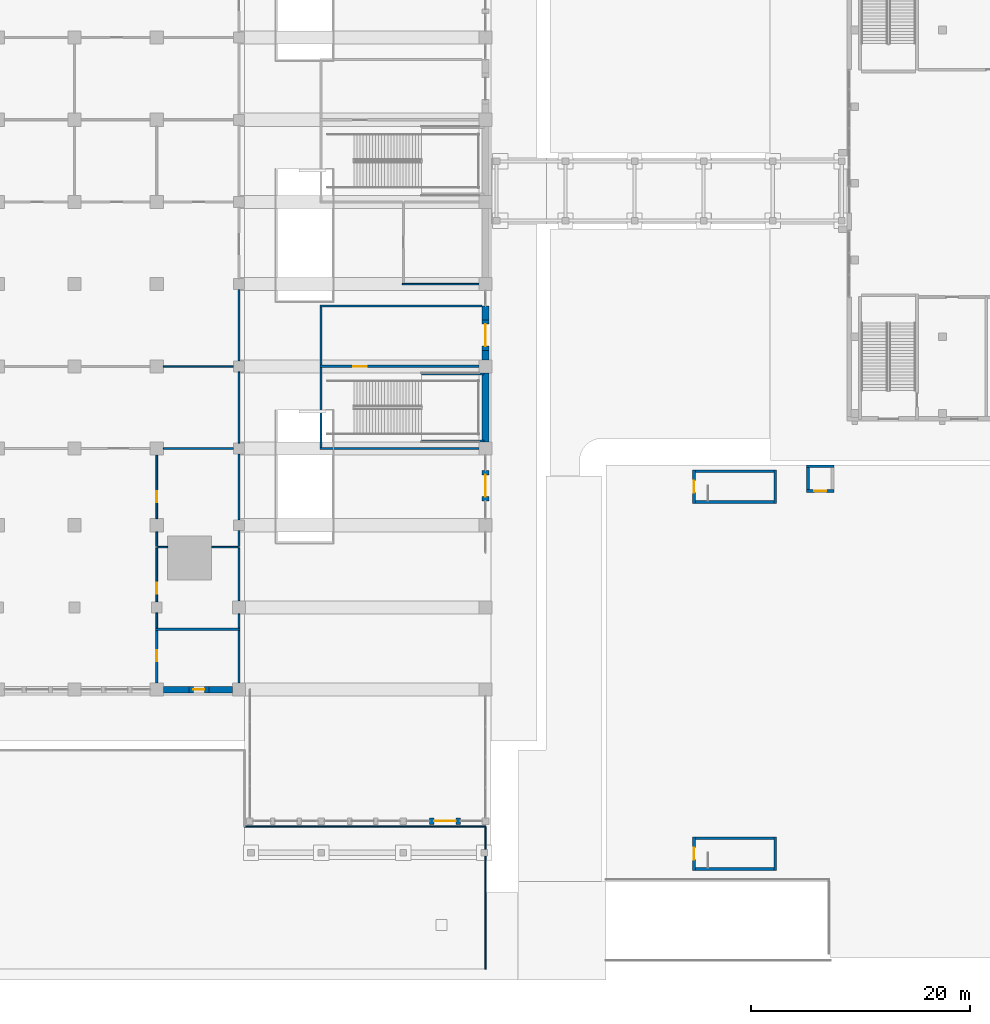
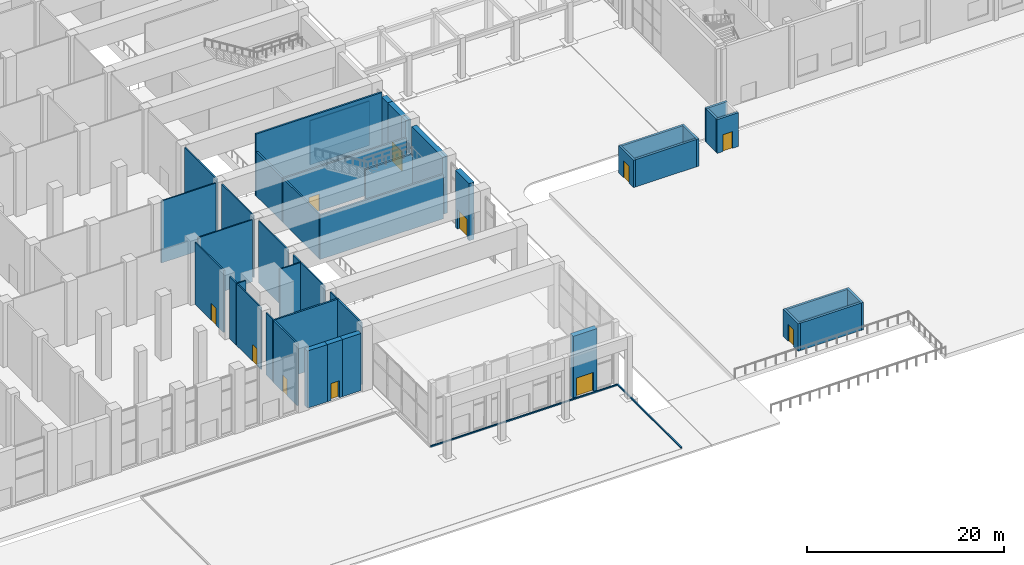
# One storey, part 27 of 57: 47 walls, 11 doors, 11 openings.
"""IFC4 building model written with IfcOpenShell, lengths in metres."""

from ifc_helpers import new_model, si_unit, direction, frame, frame_2d, origin, place, context, subcontext, project, spatial, rectangle, extrude, material, layer, layer_set, type_object, element, fill, save


model = new_model("IFC4")

# Units and contexts
model_context = context("Model", 3, precision=1e-05, world=origin(), true_north=direction((0.0, 1.0)))
body_context = subcontext(model_context, "Body", "Model", "MODEL_VIEW")
ifc_project = project(units=[si_unit("LENGTHUNIT", "METRE"), si_unit("AREAUNIT", "SQUARE_METRE"), si_unit("VOLUMEUNIT", "CUBIC_METRE"), si_unit("PLANEANGLEUNIT", "RADIAN"), si_unit("MASSUNIT", "GRAM", prefix="KILO")], contexts=[model_context])

# Site, building, storey
site_placement = place(None, origin())
site = spatial("IfcSite", under=ifc_project, at=site_placement, CompositionType="ELEMENT")
building_placement = place(site_placement, origin())
building = spatial("IfcBuilding", under=site, at=building_placement, Name="Tamorin Gate", CompositionType="ELEMENT")
storey_placement = place(building_placement, origin())
storey = spatial("IfcBuildingStorey", under=building, at=storey_placement, Name="L00", CompositionType="ELEMENT", Elevation=0.0)

# Walls
ifc_material_1 = material(Name="Reinforced concrete C32/40", Category="concrete")
ifc_layer_1 = layer(ifc_material_1, 0.199951171875)
ifc_layer_set_1 = layer_set([ifc_layer_1], Name="Exit passage wall 200")
wall_type_1 = type_object("IfcWallType", Name="Exit passage wall 200", PredefinedType="PARTITIONING", material=ifc_layer_set_1)
wall_1_placement = place(storey_placement, frame((96.89990234375, 65.5, 0.0), z_axis=(0.0, 0.0, 1.0), x_axis=(1.0, 0.0, 0.0)))
element("IfcWall", 1, at=wall_1_placement, inside=storey, type_object=wall_type_1, Name="Exit passage wall 200 L00", PredefinedType="PARTITIONING", context=body_context, shape_type="SweptSolid", body=[
    extrude(rectangle(XDim=14.800048828125, YDim=0.199951171875, at=frame_2d((7.39990234375, 0.0))), origin(), (0.0, 0.0, 1.0), 7.699951171875),
])
wall_2_placement = place(storey_placement, frame((97.0, 60.10009765625, 0.0), z_axis=(0.0, 0.0, 1.0), x_axis=(0.0, 1.0, 0.0)))
element("IfcWall", 2, at=wall_2_placement, inside=storey, type_object=wall_type_1, Name="Exit passage wall 200 L00", PredefinedType="PARTITIONING", context=body_context, shape_type="SweptSolid", body=[
    extrude(rectangle(XDim=5.2998046875, YDim=0.199951171875, at=frame_2d((2.64990234375, 0.0))), origin(), (0.0, 0.0, 1.0), 5.5),
])
ifc_material_2 = material(Name="Concrete masonry C20/25", Category="masonry")
ifc_layer_2 = layer(ifc_material_2, 0.199951171875)
ifc_layer_set_2 = layer_set([ifc_layer_2], Name="Fire-rated wall 200")
wall_type_2 = type_object("IfcWallType", Name="Fire-rated wall 200", PredefinedType="PARTITIONING", material=ifc_layer_set_2)
wall_3_placement = place(storey_placement, frame((81.89990234375, 36.0, 0.0), z_axis=(0.0, 0.0, 1.0), x_axis=(1.0, 0.0, 0.0)))
element("IfcWall", 3, at=wall_3_placement, inside=storey, type_object=wall_type_2, Name="Fire-rated wall 200 L00", PredefinedType="PARTITIONING", context=body_context, shape_type="SweptSolid", body=[
    extrude(rectangle(XDim=7.7001953125, YDim=0.199951171875, at=frame_2d((3.85009765625, 0.0))), origin(), (0.0, 0.0, 1.0), 7.699951171875),
])
wall_4_placement = place(storey_placement, frame((89.5, 31.10009765625, 0.0), z_axis=(0.0, 0.0, 1.0), x_axis=(0.0, 1.0, 0.0)))
element("IfcWall", 4, at=wall_4_placement, inside=storey, type_object=wall_type_2, Name="Fire-rated wall 200 L00", PredefinedType="PARTITIONING", context=body_context, shape_type="SweptSolid", body=[
    extrude(rectangle(XDim=4.7998046875, YDim=0.199951171875, at=frame_2d((2.39990234375, 0.0))), origin(), (0.0, 0.0, 1.0), 7.699951171875),
])

# Wall, opening, door
wall_5_placement = place(storey_placement, frame((82.0, 31.10009765625, 0.0), z_axis=(0.0, 0.0, 1.0), x_axis=(0.0, 1.0, 0.0)))
wall_5 = element("IfcWall", 5, at=wall_5_placement, inside=storey, type_object=wall_type_2, Name="Fire-rated wall 200 L00", PredefinedType="PARTITIONING", context=body_context, shape_type="SweptSolid", body=[
    extrude(rectangle(XDim=4.7998046875, YDim=0.199951171875, at=frame_2d((2.39990234375, 0.0))), origin(), (0.0, 0.0, 1.0), 7.699951171875),
])
opening_1_placement = place(wall_5_placement, frame((2.0, 0.0, 0.0)))
opening_1 = element("IfcOpeningElement", 6, at=opening_1_placement, cuts=wall_5, Name="Opening DP2", PredefinedType="OPENING", context=body_context, shape_type="SweptSolid", body=[
    extrude(rectangle(XDim=1.0, YDim=2.10009765625, at=frame_2d((0.5, 1.050048828125))), frame((0.0, 0.10986328125, 0.0), z_axis=(0.0, -1.0, 0.0), x_axis=(1.0, 0.0, 0.0)), (0.0, 0.0, 1.0), 0.219970703125),
])
ifc_material_3 = material(Name="Painted steel", Category="steel")
door_type_1 = type_object("IfcDoorType", Name="Door single 1000", OperationType="SINGLE_SWING_LEFT", PredefinedType="DOOR", material=ifc_material_3)
door_1_placement = place(opening_1_placement, origin())
door_1 = element("IfcDoor", 7, at=door_1_placement, inside=storey, type_object=door_type_1, Name="Door single 1000 L00", OperationType="SINGLE_SWING_LEFT", OverallHeight=2.10009765625, OverallWidth=1.0, PredefinedType="DOOR", context=body_context, shape_type="SweptSolid", body=[
    extrude(rectangle(XDim=1.0, YDim=2.10009765625, at=frame_2d((0.5, 1.050048828125))), frame((0.0, 0.02490234375, 0.0), z_axis=(0.0, -1.0, 0.0), x_axis=(1.0, 0.0, 0.0)), (0.0, 0.0, 1.0), 0.050048828125),
])
fill(opening_1, door_1)

# Walls
ifc_layer_3 = layer(ifc_material_2, 0.14990234375)
ifc_layer_set_3 = layer_set([ifc_layer_3], Name="Partition 150")
wall_type_3 = type_object("IfcWallType", Name="Partition 150", PredefinedType="PARTITIONING", material=ifc_layer_set_3)
for number, where, z_axis, x_axis, name in (
    (8, (82.60009765625, 52.5, 0.0), (0.0, 0.0, 1.0), (1.0, 0.0, 0.0), "Partition 150 L00"),
    (9, (82.60009765625, 60.0, 0.0), (0.0, 0.0, 1.0), (1.0, 0.0, 0.0), "Partition 150 L00"),
):
    element("IfcWall", number, at=place(storey_placement, frame(where, z_axis=z_axis, x_axis=x_axis)), inside=storey, type_object=wall_type_3, Name=name, PredefinedType="PARTITIONING", context=body_context, shape_type="SweptSolid", body=[
        extrude(rectangle(XDim=6.39990234375, YDim=0.14990234375, at=frame_2d((3.199951171875, 0.0))), origin(), (0.0, 0.0, 1.0), 7.699951171875),
    ])
wall_6_placement = place(storey_placement, frame((82.074951171875, 43.5, 0.0), z_axis=(0.0, 0.0, 1.0), x_axis=(1.0, 0.0, 0.0)))
element("IfcWall", 10, at=wall_6_placement, inside=storey, type_object=wall_type_3, Name="Partition 150 L00", PredefinedType="PARTITIONING", context=body_context, shape_type="SweptSolid", body=[
    extrude(rectangle(XDim=0.925048828125, YDim=0.14990234375, at=frame_2d((0.46240234375, 0.0))), origin(), (0.0, 0.0, 1.0), 7.699951171875),
])
wall_7_placement = place(storey_placement, frame((87.0, 43.5, 0.0), z_axis=(0.0, 0.0, 1.0), x_axis=(1.0, 0.0, 0.0)))
element("IfcWall", 11, at=wall_7_placement, inside=storey, type_object=wall_type_3, Name="Partition 150 L00", PredefinedType="PARTITIONING", context=body_context, shape_type="SweptSolid", body=[
    extrude(rectangle(XDim=2.425048828125, YDim=0.14990234375, at=frame_2d((1.21240234375, 0.0))), origin(), (0.0, 0.0, 1.0), 7.699951171875),
])
wall_8_placement = place(storey_placement, frame((104.425048828125, 67.5, 0.0), z_axis=(0.0, 0.0, 1.0), x_axis=(1.0, 0.0, 0.0)))
element("IfcWall", 12, at=wall_8_placement, inside=storey, type_object=wall_type_3, Name="Partition 150 L00", PredefinedType="PARTITIONING", context=body_context, shape_type="SweptSolid", body=[
    extrude(rectangle(XDim=6.974853515625, YDim=0.14990234375, at=frame_2d((3.4873046875, 0.0))), origin(), (0.0, 0.0, 1.0), 5.5),
])
wall_9_placement = place(storey_placement, frame((89.5, 36.10009765625, 0.0), z_axis=(0.0, 0.0, 1.0), x_axis=(0.0, 1.0, 0.0)))
element("IfcWall", 13, at=wall_9_placement, inside=storey, type_object=wall_type_3, Name="Partition 150 L00", PredefinedType="PARTITIONING", context=body_context, shape_type="SweptSolid", body=[
    extrude(rectangle(XDim=1.2998046875, YDim=0.14990234375, at=frame_2d((0.64990234375, 0.0))), origin(), (0.0, 0.0, 1.0), 7.699951171875),
])
wall_10_placement = place(storey_placement, frame((89.5, 38.60009765625, 0.0), z_axis=(0.0, 0.0, 1.0), x_axis=(0.0, 1.0, 0.0)))
element("IfcWall", 14, at=wall_10_placement, inside=storey, type_object=wall_type_3, Name="Partition 150 L00", PredefinedType="PARTITIONING", context=body_context, shape_type="SweptSolid", body=[
    extrude(rectangle(XDim=4.824951171875, YDim=0.14990234375, at=frame_2d((2.41259765625, 0.0))), origin(), (0.0, 0.0, 1.0), 7.699951171875),
])
wall_11_placement = place(storey_placement, frame((89.5, 43.574951171875, 0.0), z_axis=(0.0, 0.0, 1.0), x_axis=(0.0, 1.0, 0.0)))
element("IfcWall", 15, at=wall_11_placement, inside=storey, type_object=wall_type_3, Name="Partition 150 L00", PredefinedType="PARTITIONING", context=body_context, shape_type="SweptSolid", body=[
    extrude(rectangle(XDim=1.425048828125, YDim=0.14990234375, at=frame_2d((0.71240234375, 0.0))), origin(), (0.0, 0.0, 1.0), 7.699951171875),
])
wall_12_placement = place(storey_placement, frame((89.5, 46.0, 0.0), z_axis=(0.0, 0.0, 1.0), x_axis=(0.0, 1.0, 0.0)))
element("IfcWall", 16, at=wall_12_placement, inside=storey, type_object=wall_type_3, Name="Partition 150 L00", PredefinedType="PARTITIONING", context=body_context, shape_type="SweptSolid", body=[
    extrude(rectangle(XDim=6.0, YDim=0.14990234375, at=frame_2d((3.0, 0.0))), origin(), (0.0, 0.0, 1.0), 7.699951171875),
])
for number, where, z_axis, x_axis, name in (
    (17, (89.5, 53.0, 0.0), (0.0, 0.0, 1.0), (0.0, 1.0, 0.0), "Partition 150 L00"),
    (18, (89.5, 60.5, 0.0), (0.0, 0.0, 1.0), (0.0, 1.0, 0.0), "Partition 150 L00"),
):
    element("IfcWall", number, at=place(storey_placement, frame(where, z_axis=z_axis, x_axis=x_axis)), inside=storey, type_object=wall_type_3, Name=name, PredefinedType="PARTITIONING", context=body_context, shape_type="SweptSolid", body=[
        extrude(rectangle(XDim=6.5, YDim=0.14990234375, at=frame_2d((3.25, 0.0))), origin(), (0.0, 0.0, 1.0), 7.699951171875),
    ])
wall_13_placement = place(storey_placement, frame((82.0, 36.10009765625, 0.0), z_axis=(0.0, 0.0, 1.0), x_axis=(0.0, 1.0, 0.0)))
element("IfcWall", 19, at=wall_13_placement, inside=storey, type_object=wall_type_3, Name="Partition 150 L00", PredefinedType="PARTITIONING", context=body_context, shape_type="SweptSolid", body=[
    extrude(rectangle(XDim=1.39990234375, YDim=0.14990234375, at=frame_2d((0.699951171875, 0.0))), origin(), (0.0, 0.0, 1.0), 7.699951171875),
])

# Wall, opening, door
wall_14_placement = place(storey_placement, frame((82.0, 38.5, 0.0), z_axis=(0.0, 0.0, 1.0), x_axis=(0.0, 1.0, 0.0)))
wall_14 = element("IfcWall", 20, at=wall_14_placement, inside=storey, type_object=wall_type_3, Name="Partition 150 L00", PredefinedType="PARTITIONING", context=body_context, shape_type="SweptSolid", body=[
    extrude(rectangle(XDim=4.925048828125, YDim=0.14990234375, at=frame_2d((2.46240234375, 0.0))), origin(), (0.0, 0.0, 1.0), 7.699951171875),
])
opening_2_placement = place(wall_14_placement, frame((0.75, 0.0, 0.0)))
opening_2 = element("IfcOpeningElement", 21, at=opening_2_placement, cuts=wall_14, Name="Opening DP2", PredefinedType="OPENING", context=body_context, shape_type="SweptSolid", body=[
    extrude(rectangle(XDim=1.0, YDim=2.10009765625, at=frame_2d((0.5, 1.050048828125))), frame((0.0, 0.0849609375, 0.0), z_axis=(0.0, -1.0, 0.0), x_axis=(1.0, 0.0, 0.0)), (0.0, 0.0, 1.0), 0.169921875),
])
door_2_placement = place(opening_2_placement, origin())
door_2 = element("IfcDoor", 22, at=door_2_placement, inside=storey, type_object=door_type_1, Name="Door single 1000 L00", OperationType="SINGLE_SWING_LEFT", OverallHeight=2.10009765625, OverallWidth=1.0, PredefinedType="DOOR", context=body_context, shape_type="SweptSolid", body=[
    extrude(rectangle(XDim=1.0, YDim=2.10009765625, at=frame_2d((0.5, 1.050048828125))), frame((0.0, 0.02490234375, 0.0), z_axis=(0.0, -1.0, 0.0), x_axis=(1.0, 0.0, 0.0)), (0.0, 0.0, 1.0), 0.050048828125),
])
fill(opening_2, door_2)

# Wall
wall_15_placement = place(storey_placement, frame((82.0, 43.574951171875, 0.0), z_axis=(0.0, 0.0, 1.0), x_axis=(0.0, 1.0, 0.0)))
element("IfcWall", 23, at=wall_15_placement, inside=storey, type_object=wall_type_3, Name="Partition 150 L00", PredefinedType="PARTITIONING", context=body_context, shape_type="SweptSolid", body=[
    extrude(rectangle(XDim=1.324951171875, YDim=0.14990234375, at=frame_2d((0.66259765625, 0.0))), origin(), (0.0, 0.0, 1.0), 7.699951171875),
])

# Wall, opening, door
wall_16_placement = place(storey_placement, frame((82.0, 46.10009765625, 0.0), z_axis=(0.0, 0.0, 1.0), x_axis=(0.0, 1.0, 0.0)))
wall_16 = element("IfcWall", 24, at=wall_16_placement, inside=storey, type_object=wall_type_3, Name="Partition 150 L00", PredefinedType="PARTITIONING", context=body_context, shape_type="SweptSolid", body=[
    extrude(rectangle(XDim=5.7998046875, YDim=0.14990234375, at=frame_2d((2.89990234375, 0.0))), origin(), (0.0, 0.0, 1.0), 7.699951171875),
])
opening_3_placement = place(wall_16_placement, frame((1.5, 0.0, 0.0)))
opening_3 = element("IfcOpeningElement", 25, at=opening_3_placement, cuts=wall_16, Name="Opening DP2", PredefinedType="OPENING", context=body_context, shape_type="SweptSolid", body=[
    extrude(rectangle(XDim=1.0, YDim=2.10009765625, at=frame_2d((0.5, 1.050048828125))), frame((0.0, 0.0849609375, 0.0), z_axis=(0.0, -1.0, 0.0), x_axis=(1.0, 0.0, 0.0)), (0.0, 0.0, 1.0), 0.169921875),
])
door_3_placement = place(opening_3_placement, origin())
door_3 = element("IfcDoor", 26, at=door_3_placement, inside=storey, type_object=door_type_1, Name="Door single 1000 L00", OperationType="SINGLE_SWING_LEFT", OverallHeight=2.10009765625, OverallWidth=1.0, PredefinedType="DOOR", context=body_context, shape_type="SweptSolid", body=[
    extrude(rectangle(XDim=1.0, YDim=2.10009765625, at=frame_2d((0.5, 1.050048828125))), frame((0.0, 0.02490234375, 0.0), z_axis=(0.0, -1.0, 0.0), x_axis=(1.0, 0.0, 0.0)), (0.0, 0.0, 1.0), 0.050048828125),
])
fill(opening_3, door_3)

# Walls
ifc_material_4 = material(Name="Concrete C30/37", Category="concrete")
ifc_layer_4 = layer(ifc_material_4, 0.14990234375)
ifc_layer_set_4 = layer_set([ifc_layer_4], Name="Precast kerb 150 C30/37")
wall_type_4 = type_object("IfcWallType", Name="Precast kerb 150 C30/37", PredefinedType="STANDARD", material=ifc_layer_set_4)
wall_17_placement = place(storey_placement, frame((90.0, 18.0, 0.0), z_axis=(0.0, 0.0, 1.0), x_axis=(1.0, 0.0, 0.0)))
element("IfcWall", 27, at=wall_17_placement, inside=storey, type_object=wall_type_4, Name="Kerb", PredefinedType="STANDARD", context=body_context, shape_type="SweptSolid", body=[
    extrude(rectangle(XDim=22.0, YDim=0.14990234375, at=frame_2d((11.0, 0.0))), origin(), (0.0, 0.0, 1.0), 0.14990234375),
])
wall_18_placement = place(storey_placement, frame((112.0, 18.0, 0.0), z_axis=(0.0, 0.0, 1.0), x_axis=(0.0, -1.0, 0.0)))
element("IfcWall", 28, at=wall_18_placement, inside=storey, type_object=wall_type_4, Name="Kerb", PredefinedType="STANDARD", context=body_context, shape_type="SweptSolid", body=[
    extrude(rectangle(XDim=13.0, YDim=0.14990234375, at=frame_2d((6.5, 0.0))), origin(), (0.0, 0.0, 1.0), 0.14990234375),
])

# Wall, opening, door
ifc_material_5 = material(Name="Precast concrete C40/50", Category="concrete")
ifc_layer_5 = layer(ifc_material_5, 0.60009765625)
ifc_layer_set_5 = layer_set([ifc_layer_5], Name="Precast concrete C40/50")
wall_type_5 = type_object("IfcWallType", Name="Precast plinth wall 600", PredefinedType="PARTITIONING", material=ifc_layer_set_5)
wall_19_placement = place(storey_placement, frame((86.75, 30.5, 0.0), z_axis=(0.0, 0.0, 1.0), x_axis=(-1.0, 0.0, 0.0)))
wall_19 = element("IfcWall", 29, at=wall_19_placement, inside=storey, type_object=wall_type_5, Name="Precast plinth wall 600 L00", PredefinedType="PARTITIONING", context=body_context, shape_type="SweptSolid", body=[
    extrude(rectangle(XDim=1.800048828125, YDim=0.60009765625, at=frame_2d((0.89990234375, 0.0))), origin(), (0.0, 0.0, 1.0), 7.10009765625),
])
opening_4_placement = place(wall_19_placement, frame((0.39990234375, 0.0, 0.0)))
opening_4 = element("IfcOpeningElement", 30, at=opening_4_placement, cuts=wall_19, Name="Opening DP2", PredefinedType="OPENING", context=body_context, shape_type="SweptSolid", body=[
    extrude(rectangle(XDim=1.0, YDim=2.10009765625, at=frame_2d((0.5, 1.050048828125))), frame((0.0, 0.31005859375, 0.0), z_axis=(0.0, -1.0, 0.0), x_axis=(1.0, 0.0, 0.0)), (0.0, 0.0, 1.0), 0.6201171875),
])
door_4_placement = place(opening_4_placement, origin())
door_4 = element("IfcDoor", 31, at=door_4_placement, inside=storey, type_object=door_type_1, Name="Door single 1000 L00", OperationType="SINGLE_SWING_LEFT", OverallHeight=2.10009765625, OverallWidth=1.0, PredefinedType="DOOR", context=body_context, shape_type="SweptSolid", body=[
    extrude(rectangle(XDim=1.0, YDim=2.10009765625, at=frame_2d((0.5, 1.050048828125))), frame((0.0, 0.02490234375, 0.0), z_axis=(0.0, -1.0, 0.0), x_axis=(1.0, 0.0, 0.0)), (0.0, 0.0, 1.0), 0.050048828125),
])
fill(opening_4, door_4)

# Walls
wall_20_placement = place(storey_placement, frame((82.60009765625, 30.5, 0.0), z_axis=(0.0, 0.0, 1.0), x_axis=(1.0, 0.0, 0.0)))
element("IfcWall", 32, at=wall_20_placement, inside=storey, type_object=wall_type_5, Name="Precast plinth wall 600 L00", PredefinedType="PARTITIONING", context=body_context, shape_type="SweptSolid", body=[
    extrude(rectangle(XDim=2.349853515625, YDim=0.60009765625, at=frame_2d((1.1748046875, 0.0))), origin(), (0.0, 0.0, 1.0), 7.10009765625),
])
wall_21_placement = place(storey_placement, frame((86.75, 30.5, 0.0), z_axis=(0.0, 0.0, 1.0), x_axis=(1.0, 0.0, 0.0)))
element("IfcWall", 33, at=wall_21_placement, inside=storey, type_object=wall_type_5, Name="Precast plinth wall 600 L00", PredefinedType="PARTITIONING", context=body_context, shape_type="SweptSolid", body=[
    extrude(rectangle(XDim=2.14990234375, YDim=0.60009765625, at=frame_2d((1.074951171875, 0.0))), origin(), (0.0, 0.0, 1.0), 7.10009765625),
])

# Wall, opening, door
wall_22_placement = place(storey_placement, frame((109.699951171875, 18.5, 0.0), z_axis=(0.0, 0.0, 1.0), x_axis=(-1.0, 0.0, 0.0)))
wall_22 = element("IfcWall", 34, at=wall_22_placement, inside=storey, type_object=wall_type_5, Name="Precast plinth wall 600 L00", PredefinedType="PARTITIONING", context=body_context, shape_type="SweptSolid", body=[
    extrude(rectangle(XDim=2.800048828125, YDim=0.60009765625, at=frame_2d((1.39990234375, 0.0))), origin(), (0.0, 0.0, 1.0), 7.699951171875),
])
opening_5_placement = place(wall_22_placement, frame((0.39990234375, 0.0, 0.0)))
opening_5 = element("IfcOpeningElement", 35, at=opening_5_placement, cuts=wall_22, Name="Opening DP4", PredefinedType="OPENING", context=body_context, shape_type="SweptSolid", body=[
    extrude(rectangle(XDim=2.0, YDim=2.39990234375, at=frame_2d((1.0, 1.199951171875))), frame((0.0, 0.31005859375, 0.0), z_axis=(0.0, -1.0, 0.0), x_axis=(1.0, 0.0, 0.0)), (0.0, 0.0, 1.0), 0.6201171875),
])
ifc_material_6 = material(Name="Steel and glass", Category="steel")
door_type_2 = type_object("IfcDoorType", Name="Exit door pair 2000", OperationType="DOUBLE_DOOR_SINGLE_SWING", PredefinedType="DOOR", material=ifc_material_6)
door_5_placement = place(opening_5_placement, origin())
door_5 = element("IfcDoor", 36, at=door_5_placement, inside=storey, type_object=door_type_2, Name="Exit door pair 2000 L00", OperationType="SINGLE_SWING_LEFT", OverallHeight=2.39990234375, OverallWidth=2.0, PredefinedType="DOOR", context=body_context, shape_type="SweptSolid", body=[
    extrude(rectangle(XDim=2.0, YDim=2.39990234375, at=frame_2d((1.0, 1.199951171875))), frame((0.0, 0.02490234375, 0.0), z_axis=(0.0, -1.0, 0.0), x_axis=(1.0, 0.0, 0.0)), (0.0, 0.0, 1.0), 0.050048828125),
])
fill(opening_5, door_5)

wall_23_placement = place(storey_placement, frame((112.0, 50.5, 0.0), z_axis=(0.0, 0.0, 1.0), x_axis=(0.0, -1.0, 0.0)))
wall_23 = element("IfcWall", 37, at=wall_23_placement, inside=storey, type_object=wall_type_5, Name="Precast plinth wall 600 L00", PredefinedType="PARTITIONING", context=body_context, shape_type="SweptSolid", body=[
    extrude(rectangle(XDim=2.800048828125, YDim=0.60009765625, at=frame_2d((1.39990234375, 0.0))), origin(), (0.0, 0.0, 1.0), 7.10009765625),
])
opening_6_placement = place(wall_23_placement, frame((0.39990234375, 0.0, 0.0)))
opening_6 = element("IfcOpeningElement", 38, at=opening_6_placement, cuts=wall_23, Name="Opening DP4", PredefinedType="OPENING", context=body_context, shape_type="SweptSolid", body=[
    extrude(rectangle(XDim=2.0, YDim=2.39990234375, at=frame_2d((1.0, 1.199951171875))), frame((0.0, 0.31005859375, 0.0), z_axis=(0.0, -1.0, 0.0), x_axis=(1.0, 0.0, 0.0)), (0.0, 0.0, 1.0), 0.6201171875),
])
door_6_placement = place(opening_6_placement, origin())
door_6 = element("IfcDoor", 39, at=door_6_placement, inside=storey, type_object=door_type_2, Name="Exit door pair 2000 L00", OperationType="SINGLE_SWING_LEFT", OverallHeight=2.39990234375, OverallWidth=2.0, PredefinedType="DOOR", context=body_context, shape_type="SweptSolid", body=[
    extrude(rectangle(XDim=2.0, YDim=2.39990234375, at=frame_2d((1.0, 1.199951171875))), frame((0.0, 0.02490234375, 0.0), z_axis=(0.0, -1.0, 0.0), x_axis=(1.0, 0.0, 0.0)), (0.0, 0.0, 1.0), 0.050048828125),
])
fill(opening_6, door_6)

# Wall
wall_24_placement = place(storey_placement, frame((112.0, 53.10009765625, 0.0), z_axis=(0.0, 0.0, 1.0), x_axis=(0.0, 1.0, 0.0)))
element("IfcWall", 40, at=wall_24_placement, inside=storey, type_object=wall_type_5, Name="Precast plinth wall 600 L00", PredefinedType="PARTITIONING", context=body_context, shape_type="SweptSolid", body=[
    extrude(rectangle(XDim=6.2998046875, YDim=0.60009765625, at=frame_2d((3.14990234375, 0.0))), origin(), (0.0, 0.0, 1.0), 7.10009765625),
])

# Wall, opening, door
wall_25_placement = place(storey_placement, frame((112.0, 64.25, 0.0), z_axis=(0.0, 0.0, 1.0), x_axis=(0.0, -1.0, 0.0)))
wall_25 = element("IfcWall", 41, at=wall_25_placement, inside=storey, type_object=wall_type_5, Name="Precast plinth wall 600 L00", PredefinedType="PARTITIONING", context=body_context, shape_type="SweptSolid", body=[
    extrude(rectangle(XDim=2.800048828125, YDim=0.60009765625, at=frame_2d((1.39990234375, 0.0))), origin(), (0.0, 0.0, 1.0), 7.10009765625),
])
opening_7_placement = place(wall_25_placement, frame((0.39990234375, 0.0, 0.0)))
opening_7 = element("IfcOpeningElement", 42, at=opening_7_placement, cuts=wall_25, Name="Opening DP4", PredefinedType="OPENING", context=body_context, shape_type="SweptSolid", body=[
    extrude(rectangle(XDim=2.0, YDim=2.39990234375, at=frame_2d((1.0, 1.199951171875))), frame((0.0, 0.31005859375, 0.0), z_axis=(0.0, -1.0, 0.0), x_axis=(1.0, 0.0, 0.0)), (0.0, 0.0, 1.0), 0.6201171875),
])
door_7_placement = place(opening_7_placement, origin())
door_7 = element("IfcDoor", 43, at=door_7_placement, inside=storey, type_object=door_type_2, Name="Exit door pair 2000 L00", OperationType="SINGLE_SWING_LEFT", OverallHeight=2.39990234375, OverallWidth=2.0, PredefinedType="DOOR", context=body_context, shape_type="SweptSolid", body=[
    extrude(rectangle(XDim=2.0, YDim=2.39990234375, at=frame_2d((1.0, 1.199951171875))), frame((0.0, 0.02490234375, 0.0), z_axis=(0.0, -1.0, 0.0), x_axis=(1.0, 0.0, 0.0)), (0.0, 0.0, 1.0), 0.050048828125),
])
fill(opening_7, door_7)

# Walls
wall_26_placement = place(storey_placement, frame((112.0, 60.60009765625, 0.0), z_axis=(0.0, 0.0, 1.0), x_axis=(0.0, 1.0, 0.0)))
element("IfcWall", 44, at=wall_26_placement, inside=storey, type_object=wall_type_5, Name="Precast plinth wall 600 L00", PredefinedType="PARTITIONING", context=body_context, shape_type="SweptSolid", body=[
    extrude(rectangle(XDim=0.849853515625, YDim=0.60009765625, at=frame_2d((0.4248046875, 0.0))), origin(), (0.0, 0.0, 1.0), 7.10009765625),
])
wall_27_placement = place(storey_placement, frame((112.0, 64.25, 0.0), z_axis=(0.0, 0.0, 1.0), x_axis=(0.0, 1.0, 0.0)))
element("IfcWall", 45, at=wall_27_placement, inside=storey, type_object=wall_type_5, Name="Precast plinth wall 600 L00", PredefinedType="PARTITIONING", context=body_context, shape_type="SweptSolid", body=[
    extrude(rectangle(XDim=1.25, YDim=0.60009765625, at=frame_2d((0.625, 0.0))), origin(), (0.0, 0.0, 1.0), 7.10009765625),
])
ifc_material_7 = material(Name="Concrete C40/50", Category="concrete")
ifc_layer_6 = layer(ifc_material_7, 0.25)
ifc_layer_set_6 = layer_set([ifc_layer_6], Name="Stair and lift enclosure wall 250 C40/50")
wall_type_6 = type_object("IfcWallType", Name="Stair and lift enclosure wall 250 C40/50", PredefinedType="SHEAR", material=ifc_layer_set_6)
for number, where, z_axis, x_axis, name in (
    (46, (131.14990234375, 14.125, 0.0), (0.0, 0.0, 1.0), (1.0, 0.0, 0.0), "Stair SB6 wall"),
    (47, (131.14990234375, 16.925048828125, 0.0), (0.0, 0.0, 1.0), (1.0, 0.0, 0.0), "Stair SB6 wall"),
):
    element("IfcWall", number, at=place(storey_placement, frame(where, z_axis=z_axis, x_axis=x_axis)), inside=storey, type_object=wall_type_6, Name=name, PredefinedType="SHEAR", context=body_context, shape_type="SweptSolid", body=[
        extrude(rectangle(XDim=7.16015625, YDim=0.25, at=frame_2d((3.580078125, 0.0))), origin(), (0.0, 0.0, 1.0), 3.39990234375),
    ])

# Wall, opening, door
wall_28_placement = place(storey_placement, frame((131.02490234375, 14.0, 0.0), z_axis=(0.0, 0.0, 1.0), x_axis=(0.0, 1.0, 0.0)))
wall_28 = element("IfcWall", 48, at=wall_28_placement, inside=storey, type_object=wall_type_6, Name="Stair SB6 wall", PredefinedType="SHEAR", context=body_context, shape_type="SweptSolid", body=[
    extrude(rectangle(XDim=3.050048828125, YDim=0.25, at=frame_2d((1.52490234375, 0.0))), origin(), (0.0, 0.0, 1.0), 3.39990234375),
])
opening_8_placement = place(wall_28_placement, frame((0.97509765625, 0.0, 0.0)))
opening_8 = element("IfcOpeningElement", 49, at=opening_8_placement, cuts=wall_28, Name="Opening DP9", PredefinedType="OPENING", context=body_context, shape_type="SweptSolid", body=[
    extrude(rectangle(XDim=1.10009765625, YDim=2.10009765625, at=frame_2d((0.550048828125, 1.050048828125))), frame((0.0, 0.135009765625, 0.0), z_axis=(0.0, -1.0, 0.0), x_axis=(1.0, 0.0, 0.0)), (0.0, 0.0, 1.0), 0.27001953125),
])
ifc_material_8 = material(Name="Steel, painted", Category="steel")
door_type_3 = type_object("IfcDoorType", Name="Exit door 1100x2100 FD90 outward", OperationType="SINGLE_SWING_RIGHT", PredefinedType="DOOR", material=ifc_material_8)
door_8_placement = place(opening_8_placement, origin())
door_8 = element("IfcDoor", 50, at=door_8_placement, inside=storey, type_object=door_type_3, Name="Stair exit door", OperationType="SINGLE_SWING_LEFT", OverallHeight=2.10009765625, OverallWidth=1.10009765625, PredefinedType="DOOR", context=body_context, shape_type="SweptSolid", body=[
    extrude(rectangle(XDim=1.10009765625, YDim=2.10009765625, at=frame_2d((0.550048828125, 1.050048828125))), frame((0.0, 0.02490234375, 0.0), z_axis=(0.0, -1.0, 0.0), x_axis=(1.0, 0.0, 0.0)), (0.0, 0.0, 1.0), 0.050048828125),
])
fill(opening_8, door_8)

# Walls
wall_29_placement = place(storey_placement, frame((138.43505859375, 14.0, 0.0), z_axis=(0.0, 0.0, 1.0), x_axis=(0.0, 1.0, 0.0)))
element("IfcWall", 51, at=wall_29_placement, inside=storey, type_object=wall_type_6, Name="Stair SB6 wall", PredefinedType="SHEAR", context=body_context, shape_type="SweptSolid", body=[
    extrude(rectangle(XDim=3.050048828125, YDim=0.25, at=frame_2d((1.52490234375, 0.0))), origin(), (0.0, 0.0, 1.0), 3.39990234375),
])
for number, where, z_axis, x_axis, name in (
    (52, (131.14990234375, 47.625, 0.0), (0.0, 0.0, 1.0), (1.0, 0.0, 0.0), "Stair SB7 wall"),
    (53, (131.14990234375, 50.425048828125, 0.0), (0.0, 0.0, 1.0), (1.0, 0.0, 0.0), "Stair SB7 wall"),
):
    element("IfcWall", number, at=place(storey_placement, frame(where, z_axis=z_axis, x_axis=x_axis)), inside=storey, type_object=wall_type_6, Name=name, PredefinedType="SHEAR", context=body_context, shape_type="SweptSolid", body=[
        extrude(rectangle(XDim=7.16015625, YDim=0.25, at=frame_2d((3.580078125, 0.0))), origin(), (0.0, 0.0, 1.0), 3.39990234375),
    ])

# Wall, opening, door
wall_30_placement = place(storey_placement, frame((131.02490234375, 47.5, 0.0), z_axis=(0.0, 0.0, 1.0), x_axis=(0.0, 1.0, 0.0)))
wall_30 = element("IfcWall", 54, at=wall_30_placement, inside=storey, type_object=wall_type_6, Name="Stair SB7 wall", PredefinedType="SHEAR", context=body_context, shape_type="SweptSolid", body=[
    extrude(rectangle(XDim=3.050048828125, YDim=0.25, at=frame_2d((1.52490234375, 0.0))), origin(), (0.0, 0.0, 1.0), 3.39990234375),
])
opening_9_placement = place(wall_30_placement, frame((0.97509765625, 0.0, 0.0)))
opening_9 = element("IfcOpeningElement", 55, at=opening_9_placement, cuts=wall_30, Name="Opening DP9", PredefinedType="OPENING", context=body_context, shape_type="SweptSolid", body=[
    extrude(rectangle(XDim=1.10009765625, YDim=2.10009765625, at=frame_2d((0.550048828125, 1.050048828125))), frame((0.0, 0.135009765625, 0.0), z_axis=(0.0, -1.0, 0.0), x_axis=(1.0, 0.0, 0.0)), (0.0, 0.0, 1.0), 0.27001953125),
])
door_9_placement = place(opening_9_placement, origin())
door_9 = element("IfcDoor", 56, at=door_9_placement, inside=storey, type_object=door_type_3, Name="Stair exit door", OperationType="SINGLE_SWING_RIGHT", OverallHeight=2.10009765625, OverallWidth=1.10009765625, PredefinedType="DOOR", context=body_context, shape_type="SweptSolid", body=[
    extrude(rectangle(XDim=1.10009765625, YDim=2.10009765625, at=frame_2d((0.550048828125, 1.050048828125))), frame((0.0, 0.02490234375, 0.0), z_axis=(0.0, -1.0, 0.0), x_axis=(1.0, 0.0, 0.0)), (0.0, 0.0, 1.0), 0.050048828125),
])
fill(opening_9, door_9)

# Wall
wall_31_placement = place(storey_placement, frame((138.43505859375, 47.5, 0.0), z_axis=(0.0, 0.0, 1.0), x_axis=(0.0, 1.0, 0.0)))
element("IfcWall", 57, at=wall_31_placement, inside=storey, type_object=wall_type_6, Name="Stair SB7 wall", PredefinedType="SHEAR", context=body_context, shape_type="SweptSolid", body=[
    extrude(rectangle(XDim=3.050048828125, YDim=0.25, at=frame_2d((1.52490234375, 0.0))), origin(), (0.0, 0.0, 1.0), 3.39990234375),
])

# Wall, opening, door
wall_32_placement = place(storey_placement, frame((141.300048828125, 48.625, 0.0), z_axis=(0.0, 0.0, 1.0), x_axis=(1.0, 0.0, 0.0)))
wall_32 = element("IfcWall", 58, at=wall_32_placement, inside=storey, type_object=wall_type_6, Name="Lift shaft LP1", PredefinedType="SHEAR", context=body_context, shape_type="SweptSolid", body=[
    extrude(rectangle(XDim=2.5, YDim=0.25, at=frame_2d((1.25, 0.0))), origin(), (0.0, 0.0, 1.0), 4.199951171875),
])
opening_10_placement = place(wall_32_placement, frame((0.699951171875, 0.0, 0.0)))
opening_10 = element("IfcOpeningElement", 59, at=opening_10_placement, cuts=wall_32, Name="Opening LD23", PredefinedType="OPENING", context=body_context, shape_type="SweptSolid", body=[
    extrude(rectangle(XDim=1.10009765625, YDim=2.10009765625, at=frame_2d((0.550048828125, 1.050048828125))), frame((0.0, 0.135009765625, 0.0), z_axis=(0.0, -1.0, 0.0), x_axis=(1.0, 0.0, 0.0)), (0.0, 0.0, 1.0), 0.27001953125),
])
ifc_material_9 = material(Name="Stainless steel", Category="steel")
door_type_4 = type_object("IfcDoorType", Name="Lift landing door 1100x2100", OperationType="DOUBLE_DOOR_SLIDING", PredefinedType="DOOR", material=ifc_material_9)
door_10_placement = place(opening_10_placement, origin())
door_10 = element("IfcDoor", 60, at=door_10_placement, inside=storey, type_object=door_type_4, Name="Lift landing door", OperationType="DOUBLE_DOOR_SLIDING", OverallHeight=2.10009765625, OverallWidth=1.10009765625, PredefinedType="DOOR", context=body_context, shape_type="SweptSolid", body=[
    extrude(rectangle(XDim=1.10009765625, YDim=2.10009765625, at=frame_2d((0.550048828125, 1.050048828125))), frame((0.0, 0.02490234375, 0.0), z_axis=(0.0, -1.0, 0.0), x_axis=(1.0, 0.0, 0.0)), (0.0, 0.0, 1.0), 0.050048828125),
])
fill(opening_10, door_10)

# Walls
wall_33_placement = place(storey_placement, frame((141.300048828125, 50.875, 0.0), z_axis=(0.0, 0.0, 1.0), x_axis=(1.0, 0.0, 0.0)))
element("IfcWall", 61, at=wall_33_placement, inside=storey, type_object=wall_type_6, Name="Lift shaft LP1", PredefinedType="SHEAR", context=body_context, shape_type="SweptSolid", body=[
    extrude(rectangle(XDim=2.5, YDim=0.25, at=frame_2d((1.25, 0.0))), origin(), (0.0, 0.0, 1.0), 4.199951171875),
])
wall_34_placement = place(storey_placement, frame((141.425048828125, 48.75, 0.0), z_axis=(0.0, 0.0, 1.0), x_axis=(0.0, 1.0, 0.0)))
element("IfcWall", 62, at=wall_34_placement, inside=storey, type_object=wall_type_6, Name="Lift shaft LP1", PredefinedType="SHEAR", context=body_context, shape_type="SweptSolid", body=[
    extrude(rectangle(XDim=2.0, YDim=0.25, at=frame_2d((1.0, 0.0))), origin(), (0.0, 0.0, 1.0), 4.199951171875),
])
ifc_layer_7 = layer(ifc_material_7, 0.199951171875)
ifc_layer_set_7 = layer_set([ifc_layer_7], Name="Stair enclosure 200")
wall_type_7 = type_object("IfcWallType", Name="Stair enclosure 200", PredefinedType="SHEAR", material=ifc_layer_set_7)
wall_35_placement = place(storey_placement, frame((96.89990234375, 52.5, 0.0), z_axis=(0.0, 0.0, 1.0), x_axis=(1.0, 0.0, 0.0)))
element("IfcWall", 63, at=wall_35_placement, inside=storey, type_object=wall_type_7, Name="Stair enclosure 200 L00", PredefinedType="SHEAR", context=body_context, shape_type="SweptSolid", body=[
    extrude(rectangle(XDim=14.5, YDim=0.199951171875, at=frame_2d((7.25, 0.0))), origin(), (0.0, 0.0, 1.0), 5.5),
])

# Wall, opening, door
wall_36_placement = place(storey_placement, frame((96.89990234375, 60.0, 0.0), z_axis=(0.0, 0.0, 1.0), x_axis=(1.0, 0.0, 0.0)))
wall_36 = element("IfcWall", 64, at=wall_36_placement, inside=storey, type_object=wall_type_7, Name="Stair enclosure 200 L00", PredefinedType="SHEAR", context=body_context, shape_type="SweptSolid", body=[
    extrude(rectangle(XDim=14.5, YDim=0.199951171875, at=frame_2d((7.25, 0.0))), origin(), (0.0, 0.0, 1.0), 5.5),
])
opening_11_placement = place(wall_36_placement, frame((3.050048828125, 0.0, 0.0)))
opening_11 = element("IfcOpeningElement", 65, at=opening_11_placement, cuts=wall_36, Name="Opening DP5", PredefinedType="OPENING", context=body_context, shape_type="SweptSolid", body=[
    extrude(rectangle(XDim=1.199951171875, YDim=2.10009765625, at=frame_2d((0.60009765625, 1.050048828125))), frame((0.0, 0.10986328125, 0.0), z_axis=(0.0, -1.0, 0.0), x_axis=(1.0, 0.0, 0.0)), (0.0, 0.0, 1.0), 0.219970703125),
])
door_type_5 = type_object("IfcDoorType", Name="Stair door 1200", OperationType="SINGLE_SWING_LEFT", PredefinedType="DOOR", material=ifc_material_3)
door_11_placement = place(opening_11_placement, origin())
door_11 = element("IfcDoor", 66, at=door_11_placement, inside=storey, type_object=door_type_5, Name="Stair door 1200 L00", OperationType="SINGLE_SWING_LEFT", OverallHeight=2.10009765625, OverallWidth=1.199951171875, PredefinedType="DOOR", context=body_context, shape_type="SweptSolid", body=[
    extrude(rectangle(XDim=1.199951171875, YDim=2.10009765625, at=frame_2d((0.60009765625, 1.050048828125))), frame((0.0, 0.02490234375, 0.0), z_axis=(0.0, -1.0, 0.0), x_axis=(1.0, 0.0, 0.0)), (0.0, 0.0, 1.0), 0.050048828125),
])
fill(opening_11, door_11)

# Walls
wall_37_placement = place(storey_placement, frame((97.0, 52.60009765625, 0.0), z_axis=(0.0, 0.0, 1.0), x_axis=(0.0, 1.0, 0.0)))
element("IfcWall", 67, at=wall_37_placement, inside=storey, type_object=wall_type_7, Name="Stair enclosure 200 L00", PredefinedType="SHEAR", context=body_context, shape_type="SweptSolid", body=[
    extrude(rectangle(XDim=7.2998046875, YDim=0.199951171875, at=frame_2d((3.64990234375, 0.0))), origin(), (0.0, 0.0, 1.0), 5.5),
])
for number, where, z_axis, x_axis, name in (
    (68, (106.159912109375, 53.199951171875, 0.0), (0.0, 0.0, 1.0), (1.0, 0.0, 0.0), "Landing support wall"),
    (69, (106.159912109375, 59.300048828125, 0.0), (0.0, 0.0, 1.0), (1.0, 0.0, 0.0), "Landing support wall"),
):
    element("IfcWall", number, at=place(storey_placement, frame(where, z_axis=z_axis, x_axis=x_axis)), inside=storey, type_object=wall_type_7, Name=name, PredefinedType="SHEAR", context=body_context, shape_type="SweptSolid", body=[
        extrude(rectangle(XDim=5.690185546875, YDim=0.199951171875, at=frame_2d((2.84521484375, 0.0))), origin(), (0.0, 0.0, 1.0), 3.800048828125),
    ])

save(model, "model.ifc")
